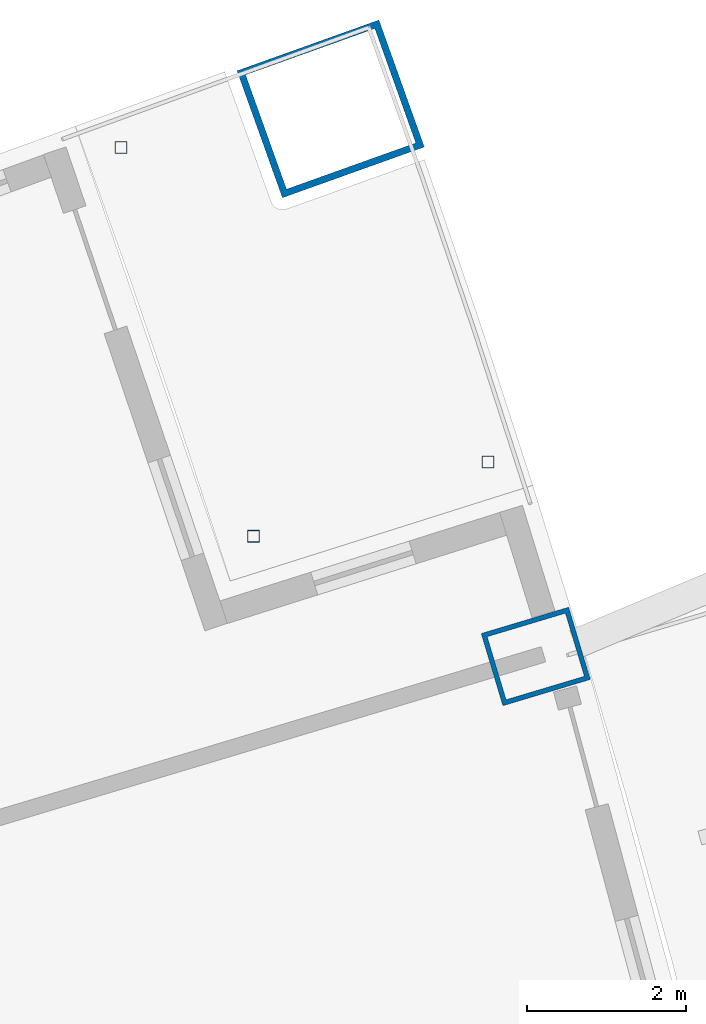
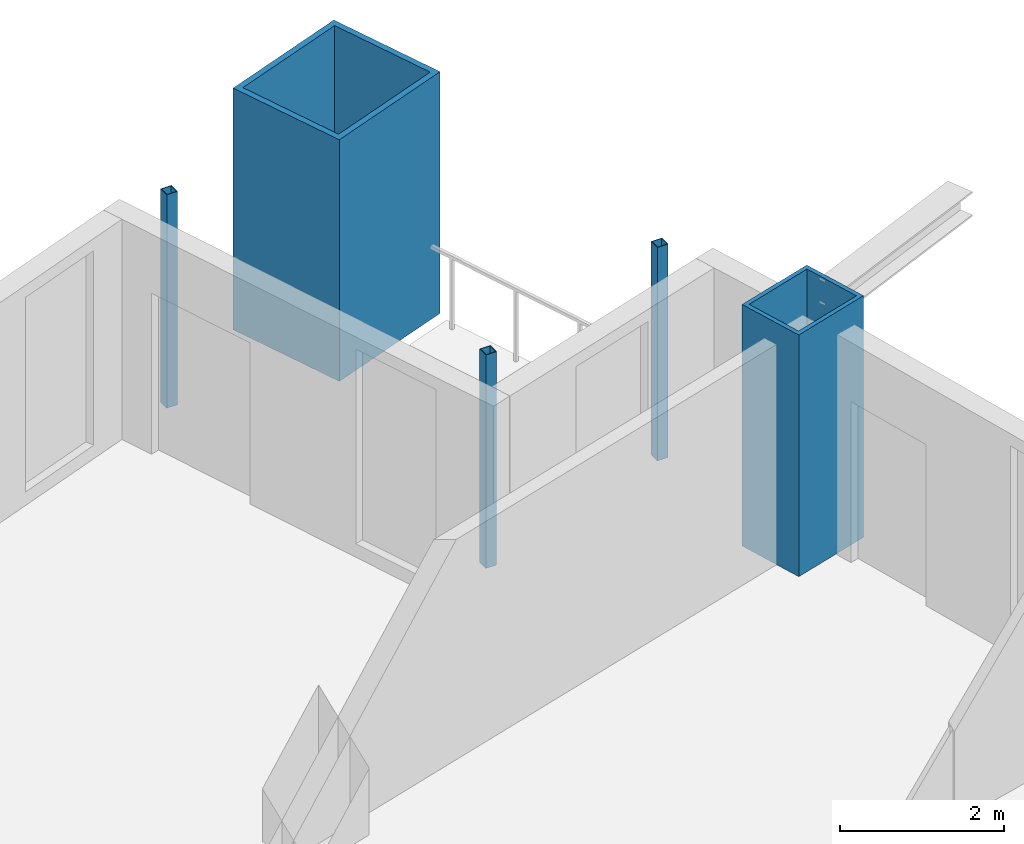
# One storey, part 11 of 25: 5 columns.
"""IFC4 building model written with IfcOpenShell, lengths in metres."""

import ifcopenshell
import ifcopenshell.guid

model = None  # the IFC model being written
_history = None  # IfcOwnerHistory: only IFC2X3 demands one
_inside = {}  # id of a spatial element -> (the spatial element, [elements in it])
_under = {}  # id of a project, library or spatial element -> (it, [spatial elements below it])
_declared = {}  # id of a project -> (the project, [libraries it declares])
_typed = {}  # id of a type object -> (the type object, [elements of that type])
_made_of = {}  # id of a material, layer set ... -> (it, [elements and type objects made of it])


def new_model(schema):
    """Start an empty IFC model of exactly this schema.

    Asked for "IFC4X3", IfcOpenShell would pick the latest addendum, in which some entities
    have other attributes; the version numbers below select the first issue.
    IFC2X3 requires an IfcOwnerHistory on every rooted entity: one is made here for all.
    """
    global model, _history
    if schema == "IFC4X3":
        model = ifcopenshell.file(schema_version=(4, 3, 0, 0))
    else:
        model = ifcopenshell.file(schema=schema)
    _inside.clear()
    _under.clear()
    _declared.clear()
    _typed.clear()
    _made_of.clear()
    _history = None
    if model.schema == "IFC2X3":
        org = make("IfcOrganization", Name="unknown")
        user = make(
            "IfcPersonAndOrganization",
            ThePerson=make("IfcPerson", FamilyName="unknown"),
            TheOrganization=org,
        )
        app = make(
            "IfcApplication",
            ApplicationDeveloper=org,
            Version="unknown",
            ApplicationFullName="unknown",
            ApplicationIdentifier="unknown",
        )
        _history = make(
            "IfcOwnerHistory",
            OwningUser=user,
            OwningApplication=app,
            ChangeAction="ADDED",
            CreationDate=0,
        )
    return model


def make(cls, **values):
    """One entity of the class cls with the attributes given. An attribute that is None is left unset."""
    return model.create_entity(
        cls, **{name: value for name, value in values.items() if value is not None}
    )


def rooted(cls, **values):
    """An entity with a GlobalId (a new one), such as an element, a storey or a relation."""
    return make(cls, GlobalId=ifcopenshell.guid.new(), OwnerHistory=_history, **values)


def si_unit(unit_type, name, prefix=None):
    """IfcSIUnit, for example si_unit("LENGTHUNIT", "METRE", prefix="MILLI")."""
    return make("IfcSIUnit", UnitType=unit_type, Prefix=prefix, Name=name)


def assignment(units):
    """IfcUnitAssignment: the units of a project."""
    return None if units is None else make("IfcUnitAssignment", Units=units)


def point(xyz):
    """IfcCartesianPoint."""
    return None if xyz is None else make("IfcCartesianPoint", Coordinates=xyz)


def direction(xyz):
    """IfcDirection."""
    return None if xyz is None else make("IfcDirection", DirectionRatios=xyz)


def frame(location, z_axis=None, x_axis=None):
    """IfcAxis2Placement3D, a coordinate frame: its origin and axes. An axis left out is left unset."""
    return make(
        "IfcAxis2Placement3D",
        Location=point(location),
        Axis=direction(z_axis),
        RefDirection=direction(x_axis),
    )


def frame_2d(location, x_axis=None):
    """IfcAxis2Placement2D, a coordinate frame in the plane: its origin and x axis."""
    return make(
        "IfcAxis2Placement2D", Location=point(location), RefDirection=direction(x_axis)
    )


def origin():
    """The frame at (0, 0, 0) with its axes left unset."""
    return frame((0.0, 0.0, 0.0))


def origin_2d():
    """The frame at (0, 0) in the plane with its x axis left unset."""
    return frame_2d((0.0, 0.0))


def place(relative_to, where):
    """IfcLocalPlacement: puts the frame where relative to a parent placement (None: the world)."""
    return make(
        "IfcLocalPlacement", PlacementRelTo=relative_to, RelativePlacement=where
    )


def context(
    kind, dimensions, precision=None, world=None, true_north=None, identifier=None
):
    """IfcGeometricRepresentationContext, for example the 3D "Model" context."""
    return make(
        "IfcGeometricRepresentationContext",
        ContextIdentifier=identifier,
        ContextType=kind,
        CoordinateSpaceDimension=dimensions,
        Precision=precision,
        WorldCoordinateSystem=world,
        TrueNorth=true_north,
    )


def subcontext(parent, identifier, kind, view, scale=None):
    """IfcGeometricRepresentationSubContext, for example "Body" below "Model"."""
    return make(
        "IfcGeometricRepresentationSubContext",
        ContextIdentifier=identifier,
        ContextType=kind,
        ParentContext=parent,
        TargetScale=scale,
        TargetView=view,
    )


def project(units=None, contexts=None):
    """IfcProject with its units and contexts."""
    return rooted(
        "IfcProject",
        Name="project",
        RepresentationContexts=contexts,
        UnitsInContext=assignment(units),
    )


def spatial(cls, under=None, at=None, **own):
    """A site, building, storey or space (cls), placed at a placement, below another one or the project."""
    s = rooted(cls, ObjectPlacement=at, **own)
    if under is not None:
        _under.setdefault(under.id(), (under, []))[1].append(s)
    return s


def profile(cls, at=None, kind="AREA", **sizes):
    """A parametric profile (cls). Its sizes go by their IFC names, for example OverallWidth=200.0."""
    return make(cls, ProfileType=kind, Position=at, **sizes)


def hollow_rectangle(**sizes):
    """IfcRectangleHollowProfileDef."""
    return profile("IfcRectangleHollowProfileDef", **sizes)


def extrude(swept, where, along, depth):
    """IfcExtrudedAreaSolid: the profile swept, set in the frame where, extruded along a direction by depth."""
    return make(
        "IfcExtrudedAreaSolid",
        SweptArea=swept,
        Position=where,
        ExtrudedDirection=direction(along),
        Depth=depth,
    )


def shape(context_of_items, identifier, shape_type, items):
    """IfcShapeRepresentation: the items that make up one representation, for example the "Body"."""
    return make(
        "IfcShapeRepresentation",
        ContextOfItems=context_of_items,
        RepresentationIdentifier=identifier,
        RepresentationType=shape_type,
        Items=items,
    )


def material(Name=None, Category=None):
    """IfcMaterial."""
    return make("IfcMaterial", Name=Name, Category=Category)


def material_profile(
    of_material, cross_section, Name=None, Category=None, Priority=None
):
    """IfcMaterialProfile: a cross section and its material."""
    return make(
        "IfcMaterialProfile",
        Name=Name,
        Material=of_material,
        Profile=cross_section,
        Priority=Priority,
        Category=Category,
    )


def profile_set(profiles, Name=None, composite=None):
    """IfcMaterialProfileSet."""
    return make(
        "IfcMaterialProfileSet",
        Name=Name,
        MaterialProfiles=profiles,
        CompositeProfile=composite,
    )


def made_of(thing, what):
    """Note that an element or type object is made of a material, layer set ...; save() writes the relation."""
    if what is not None:
        _made_of.setdefault(what.id(), (what, []))[1].append(thing)
    return thing


def type_object(cls, material=None, **own):
    """A type object (cls), such as IfcWallType, which elements share."""
    return made_of(rooted(cls, **own), material)


def element(
    cls,
    number,
    at=None,
    inside=None,
    cuts=None,
    type_object=None,
    material=None,
    context=None,
    identifier="Body",
    shape_type=None,
    held_by="IfcProductDefinitionShape",
    body=None,
    shapes=None,
    **own,
):
    """One element of the class cls, such as IfcWall. Its Tag is "e" and its number.

    at: its placement. inside: the storey or other place that contains it. cuts: it is an
    opening in that element (IfcRelVoidsElement). A single representation is given by context,
    identifier, shape_type and body (its items); several are given by shapes. held_by: the class
    of the entity that holds the representations. save() writes the other relations.
    """
    e = rooted(cls, Tag="e%d" % number, ObjectPlacement=at, **own)
    if body is not None:
        shapes = [shape(context, identifier, shape_type, body)]
    if shapes is not None:
        e.Representation = make(held_by, Representations=shapes)
    if inside is not None:
        _inside.setdefault(inside.id(), (inside, []))[1].append(e)
    if cuts is not None:
        rooted(
            "IfcRelVoidsElement", RelatingBuildingElement=cuts, RelatedOpeningElement=e
        )
    if type_object is not None:
        _typed.setdefault(type_object.id(), (type_object, []))[1].append(e)
    return made_of(e, material)


def aggregate(whole, parts):
    """IfcRelAggregates: a whole, such as a stair, and the parts it consists of."""
    return rooted("IfcRelAggregates", RelatingObject=whole, RelatedObjects=parts)


def save(model, path):
    """Write the relations noted so far, then the file.

    IfcRelAggregates (storeys below a building ...), IfcRelContainedInSpatialStructure (elements
    in a storey), IfcRelDefinesByType, IfcRelAssociatesMaterial and IfcRelDeclares: one each for
    every whole, place, type object, material and project.
    """
    for whole, parts in _under.values():
        aggregate(whole, parts)
    for where, things in _inside.values():
        rooted(
            "IfcRelContainedInSpatialStructure",
            RelatedElements=things,
            RelatingStructure=where,
        )
    for kind, things in _typed.values():
        rooted("IfcRelDefinesByType", RelatedObjects=things, RelatingType=kind)
    for what, things in _made_of.values():
        rooted("IfcRelAssociatesMaterial", RelatedObjects=things, RelatingMaterial=what)
    for by, libraries in _declared.values():
        rooted("IfcRelDeclares", RelatingContext=by, RelatedDefinitions=libraries)
    model.write(path)


model = new_model("IFC4")

# Units and contexts
model_context = context("Model", 3, precision=1e-05, world=origin(), true_north=direction((0.0, 1.0)))
body_context = subcontext(model_context, "Body", "Model", "MODEL_VIEW")
ifc_project = project(units=[si_unit("LENGTHUNIT", "METRE"), si_unit("AREAUNIT", "SQUARE_METRE"), si_unit("VOLUMEUNIT", "CUBIC_METRE"), si_unit("PLANEANGLEUNIT", "RADIAN"), si_unit("MASSUNIT", "GRAM", prefix="KILO")], contexts=[model_context])

# Site, building, storey
site_placement = place(None, origin())
site = spatial("IfcSite", under=ifc_project, at=site_placement, CompositionType="ELEMENT")
building_placement = place(site_placement, origin())
building = spatial("IfcBuilding", under=site, at=building_placement, Name="Alderwake Tower", CompositionType="ELEMENT")
storey_placement = place(building_placement, frame((0.0, 0.0, 86.0)))
storey = spatial("IfcBuildingStorey", under=building, at=storey_placement, Name="L20", CompositionType="ELEMENT", Elevation=86.0)

# Columns
ifc_material_1 = material(Name="Steel ASTM A500 Grade C", Category="steel")
ifc_material_profile_1 = material_profile(ifc_material_1, hollow_rectangle(XDim=0.15234375, YDim=0.15234375, WallThickness=0.0087890625, at=origin_2d()), Name="HSS6X6X3/8")
ifc_profile_set_1 = profile_set([ifc_material_profile_1], Name="Steel ASTM A500 Grade C")
column_type_1 = type_object("IfcColumnType", Name="Light post HSS6X6X3/8", PredefinedType="COLUMN", material=ifc_profile_set_1)
for number, where, z_axis, x_axis, name in (
    (1, (55.208740234375, 104.224609375, 0.0), (0.0, 0.0, 1.0), (1.0, 0.0, 0.0), "Terrace post FN1"),
    (2, (50.58544921875, 108.1884765625, 0.0), (0.0, 0.0, 1.0), (1.0, 0.0, 0.0), "Terrace post FN2"),
    (3, (52.253173828125, 103.2900390625, 0.0), (0.0, 0.0, 1.0), (1.0, 0.0, 0.0), "Terrace post FN3"),
):
    element("IfcColumn", number, at=place(storey_placement, frame(where, z_axis=z_axis, x_axis=x_axis)), inside=storey, type_object=column_type_1, Name=name, PredefinedType="COLUMN", context=body_context, shape_type="SweptSolid", body=[
        extrude(hollow_rectangle(XDim=0.15234375, YDim=0.15234375, WallThickness=0.0087890625, at=origin_2d()), origin(), (0.0, 0.0, 1.0), 3.179931640625),
    ])
ifc_material_2 = material(Name="Steel ASTM A572 Grade 50 concrete filled C70/85", Category="concrete")
ifc_material_profile_2 = material_profile(ifc_material_2, hollow_rectangle(XDim=1.699951171875, YDim=1.89990234375, WallThickness=0.0849609375, at=origin_2d()), Name="BOX 1900X1700X85")
ifc_profile_set_2 = profile_set([ifc_material_profile_2], Name="Steel ASTM A572 Grade 50 concrete filled C70/85")
column_type_2 = type_object("IfcColumnType", Name="Mega column Z2", PredefinedType="COLUMN", material=ifc_profile_set_2)
column_1_placement = place(storey_placement, frame((53.2265625, 108.67529296875, 0.0), z_axis=(0.0, 0.0, 1.0), x_axis=(-0.336929292402, 0.941529952748, 0.0)))
element("IfcColumn", 4, at=column_1_placement, inside=storey, type_object=column_type_2, Name="Column R13-C5", PredefinedType="COLUMN", context=body_context, shape_type="SweptSolid", body=[
    extrude(hollow_rectangle(XDim=1.699951171875, YDim=1.89990234375, WallThickness=0.0849609375, at=origin_2d()), origin(), (0.0, 0.0, 1.0), 3.60009765625),
])
ifc_material_3 = material(Name="Steel ASTM A572 Grade 50 concrete filled C70/85", Category="concrete")
ifc_material_profile_3 = material_profile(ifc_material_3, hollow_rectangle(XDim=0.949951171875, YDim=1.14990234375, WallThickness=0.06005859375, at=origin_2d()), Name="BOX 1150X950X60")
ifc_profile_set_3 = profile_set([ifc_material_profile_3], Name="Steel ASTM A572 Grade 50 concrete filled C70/85")
column_type_3 = type_object("IfcColumnType", Name="Perimeter column Z2", PredefinedType="COLUMN", material=ifc_profile_set_3)
column_2_placement = place(storey_placement, frame((55.811279296875, 101.7744140625, 0.0), z_axis=(0.0, 0.0, 1.0), x_axis=(-0.287549418125, 0.957765802342, 0.0)))
element("IfcColumn", 5, at=column_2_placement, inside=storey, type_object=column_type_3, Name="Column R12-C5", PredefinedType="COLUMN", context=body_context, shape_type="SweptSolid", body=[
    extrude(hollow_rectangle(XDim=0.949951171875, YDim=1.14990234375, WallThickness=0.06005859375, at=origin_2d()), origin(), (0.0, 0.0, 1.0), 3.60009765625),
])

save(model, "model.ifc")
